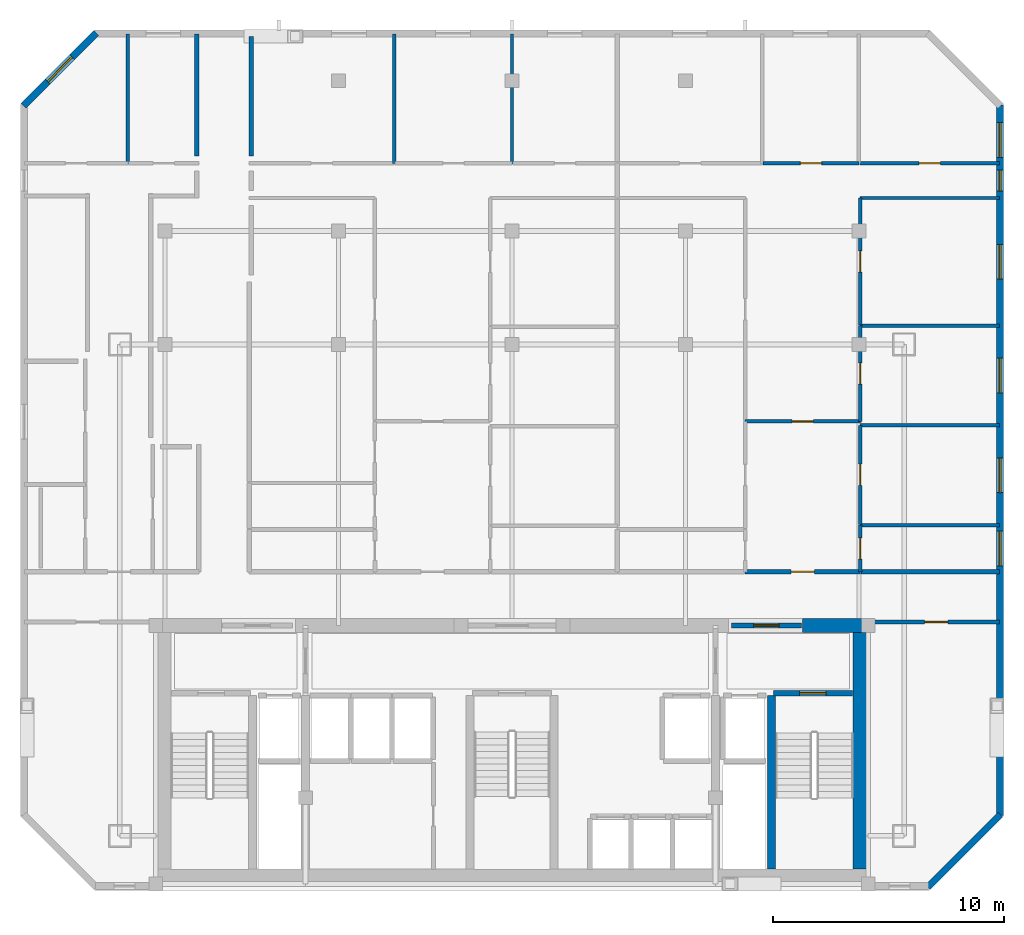
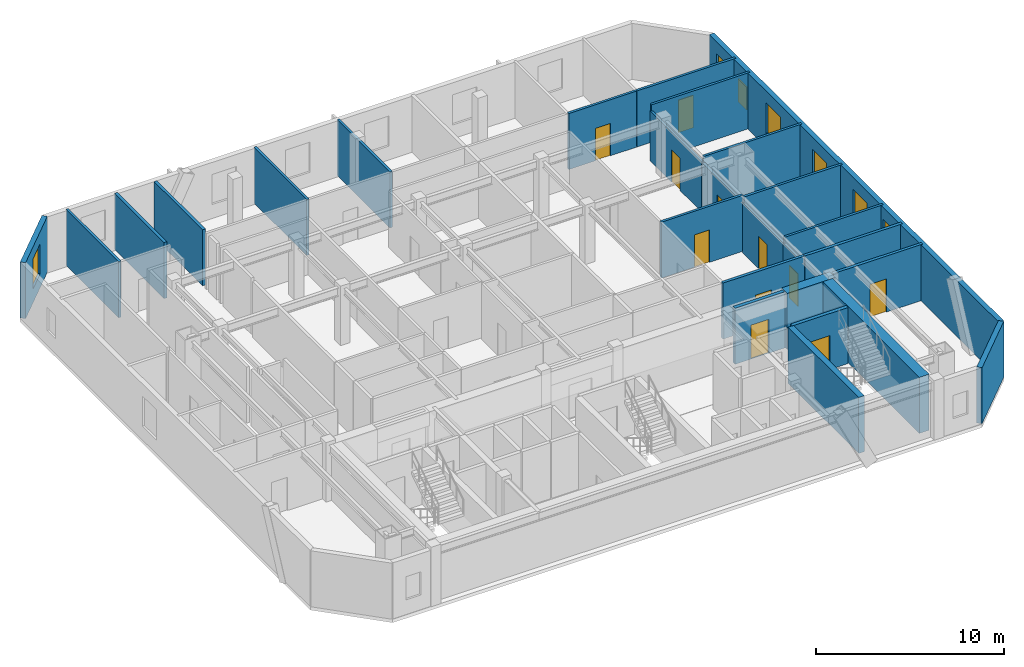
# One storey, part 5 of 7: 27 walls, 11 doors, 7 windows, 18 openings.
"""IFC4 building model written with IfcOpenShell, lengths in metres."""

from ifc_helpers import new_model, si_unit, direction, frame, frame_2d, origin, place, context, subcontext, project, spatial, rectangle, extrude, material, layer, layer_set, type_object, element, fill, save


model = new_model("IFC4")

# Units and contexts
model_context = context("Model", 3, precision=1e-05, world=origin(), true_north=direction((0.0, 1.0)))
body_context = subcontext(model_context, "Body", "Model", "MODEL_VIEW")
ifc_project = project(units=[si_unit("LENGTHUNIT", "METRE"), si_unit("AREAUNIT", "SQUARE_METRE"), si_unit("VOLUMEUNIT", "CUBIC_METRE"), si_unit("PLANEANGLEUNIT", "RADIAN"), si_unit("MASSUNIT", "GRAM", prefix="KILO")], contexts=[model_context])

# Site, building, storey
site_placement = place(None, origin())
site = spatial("IfcSite", under=ifc_project, at=site_placement, CompositionType="ELEMENT")
building_placement = place(site_placement, origin())
building = spatial("IfcBuilding", under=site, at=building_placement, Name="Ventersveld Concourse Tower", CompositionType="ELEMENT")
storey_placement = place(building_placement, frame((0.0, 0.0, 227.25)))
storey = spatial("IfcBuildingStorey", under=building, at=storey_placement, Name="L56", CompositionType="ELEMENT", Elevation=227.25)

# Walls
ifc_material_1 = material(Name="Concrete C50/60", Category="concrete")
ifc_layer_1 = layer(ifc_material_1, 0.35009765625)
ifc_layer_set_1 = layer_set([ifc_layer_1], Name="Concrete C50/60")
wall_type_1 = type_object("IfcWallType", Name="WL-CORE-350U", PredefinedType="SHEAR", material=ifc_layer_set_1)
wall_1_placement = place(storey_placement, frame((39.9599609375, 0.919921875, 0.0), z_axis=(0.0, 0.0, 1.0), x_axis=(0.0, 1.0, 0.0)))
element("IfcWall", 1, at=wall_1_placement, inside=storey, type_object=wall_type_1, Name="L56 Core Internal Shear Web W-ST2-W", PredefinedType="SHEAR", context=body_context, shape_type="SweptSolid", body=[
    extrude(rectangle(XDim=7.5, YDim=0.35009765625, at=frame_2d((3.75, 0.0))), origin(), (0.0, 0.0, 1.0), 3.6298828125),
])
ifc_layer_2 = layer(ifc_material_1, 0.60009765625)
ifc_layer_set_2 = layer_set([ifc_layer_2], Name="Concrete C50/60")
wall_type_2 = type_object("IfcWallType", Name="WL-CORE-600", PredefinedType="SHEAR", material=ifc_layer_set_2)
wall_2_placement = place(storey_placement, frame((43.800048828125, 0.919921875, 0.0), z_axis=(0.0, 0.0, 1.0), x_axis=(0.0, 1.0, 0.0)))
element("IfcWall", 2, at=wall_2_placement, inside=storey, type_object=wall_type_2, Name="L56 Rear Core East Shear Wall", PredefinedType="SHEAR", context=body_context, shape_type="SweptSolid", body=[
    extrude(rectangle(XDim=10.530029296875, YDim=0.60009765625, at=frame_2d((5.26513671875, 0.0))), origin(), (0.0, 0.0, 1.0), 3.6298828125),
])
wall_3_placement = place(storey_placement, frame((41.300048828125, 11.449951171875, 0.0), z_axis=(0.0, 0.0, 1.0), x_axis=(1.0, 0.0, 0.0)))
element("IfcWall", 3, at=wall_3_placement, inside=storey, type_object=wall_type_2, Name="L56 Rear Core North Shear Wall NE", PredefinedType="SHEAR", context=body_context, shape_type="SweptSolid", body=[
    extrude(rectangle(XDim=2.949951171875, YDim=0.60009765625, at=frame_2d((1.47509765625, 0.0))), origin(), (0.0, 0.0, 1.0), 3.6298828125),
])

# Wall, opening, door
ifc_material_2 = material(Name="Fire-rated autoclaved aerated masonry blockwork", Category="masonry")
ifc_layer_3 = layer(ifc_material_2, 0.179931640625)
ifc_layer_set_3 = layer_set([ifc_layer_3], Name="Fire-rated autoclaved aerated masonry blockwork")
wall_type_3 = type_object("IfcWallType", Name="WL-CORR-180", PredefinedType="PARTITIONING", material=ifc_layer_set_3)
wall_4_placement = place(storey_placement, frame((44.35498046875, 11.60009765625, 0.0), z_axis=(0.0, 0.0, 1.0), x_axis=(1.0, 0.0, 0.0)))
wall_4 = element("IfcWall", 4, at=wall_4_placement, inside=storey, type_object=wall_type_3, Name="L56 Interior Partition SP-L56-SE-OFF-SP-L56-COR", PredefinedType="PARTITIONING", context=body_context, shape_type="SweptSolid", body=[
    extrude(rectangle(XDim=5.472412109375, YDim=0.179931640625, at=frame_2d((2.736328125, 0.0))), origin(), (0.0, 0.0, 1.0), 3.6298828125),
])
opening_1_placement = place(wall_4_placement, frame((2.236328125, 0.0, 0.0)))
opening_1 = element("IfcOpeningElement", 5, at=opening_1_placement, cuts=wall_4, Name="Opening FD3", PredefinedType="OPENING", context=body_context, shape_type="SweptSolid", body=[
    extrude(rectangle(XDim=1.0, YDim=2.14990234375, at=frame_2d((0.5, 1.074951171875))), frame((0.0, 0.10009765625, 0.0), z_axis=(0.0, -1.0, 0.0), x_axis=(1.0, 0.0, 0.0)), (0.0, 0.0, 1.0), 0.199951171875),
])
ifc_material_3 = material(Name="Solid-core hardwood veneer timber", Category="wood")
door_type_1 = type_object("IfcDoorType", Name="DR-FLAT-100", OperationType="NOTDEFINED", PredefinedType="DOOR", material=ifc_material_3)
door_1_placement = place(opening_1_placement, origin())
door_1 = element("IfcDoor", 6, at=door_1_placement, inside=storey, type_object=door_type_1, Name="L56 Interior Door SP-L56-SE-OFF to SP-L56-COR (D-L56-2704)", OperationType="SINGLE_SWING_RIGHT", OverallHeight=2.14990234375, OverallWidth=1.0, PredefinedType="DOOR", context=body_context, shape_type="SweptSolid", body=[
    extrude(rectangle(XDim=1.0, YDim=2.14990234375, at=frame_2d((0.5, 1.074951171875))), frame((0.0, 0.02490234375, 0.0), z_axis=(0.0, -1.0, 0.0), x_axis=(1.0, 0.0, 0.0)), (0.0, 0.0, 1.0), 0.050048828125),
])
fill(opening_1, door_1)

wall_5_placement = place(storey_placement, frame((38.825439453125, 13.77001953125, 0.0), z_axis=(0.0, 0.0, 1.0), x_axis=(1.0, 0.0, 0.0)))
wall_5 = element("IfcWall", 7, at=wall_5_placement, inside=storey, type_object=wall_type_3, Name="L56 Interior Partition SP-L56-COR-SP-L56-56N2-FOY", PredefinedType="PARTITIONING", context=body_context, shape_type="SweptSolid", body=[
    extrude(rectangle(XDim=4.989990234375, YDim=0.179931640625, at=frame_2d((2.4951171875, 0.0))), origin(), (0.0, 0.0, 1.0), 3.6298828125),
])
opening_2_placement = place(wall_5_placement, frame((1.9951171875, 0.0, 0.0)))
opening_2 = element("IfcOpeningElement", 8, at=opening_2_placement, cuts=wall_5, Name="Opening FD3", PredefinedType="OPENING", context=body_context, shape_type="SweptSolid", body=[
    extrude(rectangle(XDim=1.0, YDim=2.14990234375, at=frame_2d((0.5, 1.074951171875))), frame((0.0, 0.10009765625, 0.0), z_axis=(0.0, -1.0, 0.0), x_axis=(1.0, 0.0, 0.0)), (0.0, 0.0, 1.0), 0.199951171875),
])
door_2_placement = place(opening_2_placement, origin())
door_2 = element("IfcDoor", 9, at=door_2_placement, inside=storey, type_object=door_type_1, Name="L56 Interior Door SP-L56-COR to SP-L56-56N2-FOY (FD-L56-2707)", OperationType="SINGLE_SWING_LEFT", OverallHeight=2.14990234375, OverallWidth=1.0, PredefinedType="DOOR", context=body_context, shape_type="SweptSolid", body=[
    extrude(rectangle(XDim=1.0, YDim=2.14990234375, at=frame_2d((0.5, 1.074951171875))), frame((0.0, 0.02490234375, 0.0), z_axis=(0.0, -1.0, 0.0), x_axis=(1.0, 0.0, 0.0)), (0.0, 0.0, 1.0), 0.050048828125),
])
fill(opening_2, door_2)

# Walls
wall_6_placement = place(storey_placement, frame((43.845458984375, 13.77001953125, 0.0), z_axis=(0.0, 0.0, 1.0), x_axis=(1.0, 0.0, 0.0)))
element("IfcWall", 10, at=wall_6_placement, inside=storey, type_object=wall_type_3, Name="L56 Interior Partition SP-L56-COR-SP-L56-56N2-KIT", PredefinedType="PARTITIONING", context=body_context, shape_type="SweptSolid", body=[
    extrude(rectangle(XDim=5.98193359375, YDim=0.179931640625, at=frame_2d((2.990966796875, 0.0))), origin(), (0.0, 0.0, 1.0), 3.6298828125),
])
wall_7_placement = place(storey_placement, frame((15.1201171875, 37.027587890625, 0.0), z_axis=(0.0, 0.0, 1.0), x_axis=(0.0, -1.0, 0.0)))
element("IfcWall", 11, at=wall_7_placement, inside=storey, type_object=wall_type_3, Name="L56 Room Enclosure Wall SP-L56-56NW-BR2", PredefinedType="PARTITIONING", context=body_context, shape_type="SweptSolid", body=[
    extrude(rectangle(XDim=5.272705078125, YDim=0.179931640625, at=frame_2d((2.63623046875, 0.0))), origin(), (0.0, 0.0, 1.0), 3.6298828125),
])
wall_8_placement = place(storey_placement, frame((17.47998046875, 31.7548828125, 0.0), z_axis=(0.0, 0.0, 1.0), x_axis=(0.0, 1.0, 0.0)))
element("IfcWall", 12, at=wall_8_placement, inside=storey, type_object=wall_type_3, Name="L56 Room Enclosure Wall SP-L56-56N1-BR1", PredefinedType="PARTITIONING", context=body_context, shape_type="SweptSolid", body=[
    extrude(rectangle(XDim=5.14892578125, YDim=0.179931640625, at=frame_2d((2.574462890625, 0.0))), origin(), (0.0, 0.0, 1.0), 3.6298828125),
])

# Wall, opening, door
ifc_layer_4 = layer(ifc_material_2, 0.219970703125)
ifc_layer_set_4 = layer_set([ifc_layer_4], Name="Fire-rated autoclaved aerated masonry blockwork")
wall_type_4 = type_object("IfcWallType", Name="WL-HOIST-220", PredefinedType="SOLIDWALL", material=ifc_layer_set_4)
wall_9_placement = place(storey_placement, frame((40.06005859375, 8.52001953125, 0.0), z_axis=(0.0, 0.0, 1.0), x_axis=(1.0, 0.0, 0.0)))
wall_9 = element("IfcWall", 13, at=wall_9_placement, inside=storey, type_object=wall_type_4, Name="L56 Escape Stair ST02 Fire Wall", PredefinedType="SOLIDWALL", context=body_context, shape_type="SweptSolid", body=[
    extrude(rectangle(XDim=3.39990234375, YDim=0.219970703125, at=frame_2d((1.699951171875, 0.0))), origin(), (0.0, 0.0, 1.0), 3.6298828125),
])
opening_3_placement = place(wall_9_placement, frame((1.125, 0.0, 0.0)))
opening_3 = element("IfcOpeningElement", 14, at=opening_3_placement, cuts=wall_9, Name="Opening FD1", PredefinedType="OPENING", context=body_context, shape_type="SweptSolid", body=[
    extrude(rectangle(XDim=1.14990234375, YDim=2.199951171875, at=frame_2d((0.574951171875, 1.10009765625))), frame((0.0, 0.1201171875, 0.0), z_axis=(0.0, -1.0, 0.0), x_axis=(1.0, 0.0, 0.0)), (0.0, 0.0, 1.0), 0.239990234375),
])
ifc_material_4 = material(Name="Galvanised painted steel", Category="steel")
door_type_2 = type_object("IfcDoorType", Name="DR-STAIR-115", OperationType="NOTDEFINED", PredefinedType="DOOR", material=ifc_material_4)
door_3_placement = place(opening_3_placement, origin())
door_3 = element("IfcDoor", 15, at=door_3_placement, inside=storey, type_object=door_type_2, Name="L56 Escape Stair Door ST02 (SD-L56-2695)", OperationType="SINGLE_SWING_RIGHT", OverallHeight=2.199951171875, OverallWidth=1.14990234375, PredefinedType="DOOR", context=body_context, shape_type="SweptSolid", body=[
    extrude(rectangle(XDim=1.14990234375, YDim=2.199951171875, at=frame_2d((0.574951171875, 1.10009765625))), frame((0.0, 0.02490234375, 0.0), z_axis=(0.0, -1.0, 0.0), x_axis=(1.0, 0.0, 0.0)), (0.0, 0.0, 1.0), 0.050048828125),
])
fill(opening_3, door_3)

wall_10_placement = place(storey_placement, frame((38.22998046875, 11.449951171875, 0.0), z_axis=(0.0, 0.0, 1.0), x_axis=(1.0, 0.0, 0.0)))
wall_10 = element("IfcWall", 16, at=wall_10_placement, inside=storey, type_object=wall_type_4, Name="L56 Core North Fire Portal FFLE-OUT", PredefinedType="SOLIDWALL", context=body_context, shape_type="SweptSolid", body=[
    extrude(rectangle(XDim=3.0400390625, YDim=0.219970703125, at=frame_2d((1.52001953125, 0.0))), origin(), (0.0, 0.0, 1.0), 3.6298828125),
])
opening_4_placement = place(wall_10_placement, frame((0.969970703125, 0.0, 0.0)))
opening_4 = element("IfcOpeningElement", 17, at=opening_4_placement, cuts=wall_10, Name="Opening FD2", PredefinedType="OPENING", context=body_context, shape_type="SweptSolid", body=[
    extrude(rectangle(XDim=1.10009765625, YDim=2.199951171875, at=frame_2d((0.550048828125, 1.10009765625))), frame((0.0, 0.1201171875, 0.0), z_axis=(0.0, -1.0, 0.0), x_axis=(1.0, 0.0, 0.0)), (0.0, 0.0, 1.0), 0.239990234375),
])
door_type_3 = type_object("IfcDoorType", Name="DR-FFL-110", OperationType="NOTDEFINED", PredefinedType="DOOR", material=ifc_material_4)
door_4_placement = place(opening_4_placement, origin())
door_4 = element("IfcDoor", 18, at=door_4_placement, inside=storey, type_object=door_type_3, Name="L56 Core Lobby Fire Door FFLE-OUT (FD-L56-2701)", OperationType="SINGLE_SWING_LEFT", OverallHeight=2.199951171875, OverallWidth=1.10009765625, PredefinedType="DOOR", context=body_context, shape_type="SweptSolid", body=[
    extrude(rectangle(XDim=1.10009765625, YDim=2.199951171875, at=frame_2d((0.550048828125, 1.10009765625))), frame((0.0, 0.02490234375, 0.0), z_axis=(0.0, -1.0, 0.0), x_axis=(1.0, 0.0, 0.0)), (0.0, 0.0, 1.0), 0.050048828125),
])
fill(opening_4, door_4)

# Walls
ifc_material_5 = material(Name="Autoclaved aerated masonry blockwork", Category="masonry")
ifc_layer_5 = layer(ifc_material_5, 0.14990234375)
ifc_layer_set_5 = layer_set([ifc_layer_5], Name="Autoclaved aerated masonry blockwork")
wall_type_5 = type_object("IfcWallType", Name="WL-INT-150", PredefinedType="PARTITIONING", material=ifc_layer_set_5)
for number, where, z_axis, x_axis, name in (
    (19, (12.135986328125, 31.425048828125, 0.0), (0.0, 0.0, 1.0), (0.0, 1.0, 0.0), "L56 Interior Partition SP-L56-56NW-BR1-SP-L56-56NW-BR2"),
    (20, (23.654052734375, 31.425048828125, 0.0), (0.0, 0.0, 1.0), (0.0, 1.0, 0.0), "L56 Interior Partition SP-L56-56N1-BR1-SP-L56-56N1-BR2"),
    (21, (28.75, 31.425048828125, 0.0), (0.0, 0.0, 1.0), (0.0, 1.0, 0.0), "L56 Interior Partition SP-L56-56N1-BR2-SP-L56-56N1-BR3"),
):
    element("IfcWall", number, at=place(storey_placement, frame(where, z_axis=z_axis, x_axis=x_axis)), inside=storey, type_object=wall_type_5, Name=name, PredefinedType="PARTITIONING", context=body_context, shape_type="SweptSolid", body=[
        extrude(rectangle(XDim=5.6025390625, YDim=0.14990234375, at=frame_2d((2.80126953125, 0.0))), origin(), (0.0, 0.0, 1.0), 3.6298828125),
    ])

# Wall, opening, door
wall_11_placement = place(storey_placement, frame((38.825439453125, 20.26904296875, 0.0), z_axis=(0.0, 0.0, 1.0), x_axis=(1.0, 0.0, 0.0)))
wall_11 = element("IfcWall", 22, at=wall_11_placement, inside=storey, type_object=wall_type_5, Name="L56 Interior Partition SP-L56-56N2-FOY-SP-L56-56N2-LIV", PredefinedType="PARTITIONING", context=body_context, shape_type="SweptSolid", body=[
    extrude(rectangle(XDim=4.989990234375, YDim=0.14990234375, at=frame_2d((2.4951171875, 0.0))), origin(), (0.0, 0.0, 1.0), 3.6298828125),
])
opening_5_placement = place(wall_11_placement, frame((2.034912109375, 0.0, 0.0)))
opening_5 = element("IfcOpeningElement", 23, at=opening_5_placement, cuts=wall_11, Name="Opening ID1", PredefinedType="OPENING", context=body_context, shape_type="SweptSolid", body=[
    extrude(rectangle(XDim=0.919921875, YDim=2.10009765625, at=frame_2d((0.4599609375, 1.050048828125))), frame((0.0, 0.0849609375, 0.0), z_axis=(0.0, -1.0, 0.0), x_axis=(1.0, 0.0, 0.0)), (0.0, 0.0, 1.0), 0.169921875),
])
door_type_4 = type_object("IfcDoorType", Name="DR-ROOM-092", OperationType="NOTDEFINED", PredefinedType="DOOR", material=ifc_material_3)
door_5_placement = place(opening_5_placement, origin())
door_5 = element("IfcDoor", 24, at=door_5_placement, inside=storey, type_object=door_type_4, Name="L56 Interior Door SP-L56-56N2-FOY to SP-L56-56N2-LIV (D-L56-2725)", OperationType="SINGLE_SWING_LEFT", OverallHeight=2.10009765625, OverallWidth=0.919921875, PredefinedType="DOOR", context=body_context, shape_type="SweptSolid", body=[
    extrude(rectangle(XDim=0.919921875, YDim=2.10009765625, at=frame_2d((0.4599609375, 1.050048828125))), frame((0.0, 0.02490234375, 0.0), z_axis=(0.0, -1.0, 0.0), x_axis=(1.0, 0.0, 0.0)), (0.0, 0.0, 1.0), 0.050048828125),
])
fill(opening_5, door_5)

wall_12_placement = place(storey_placement, frame((43.810302734375, 13.764892578125, 0.0), z_axis=(0.0, 0.0, 1.0), x_axis=(0.0, 1.0, 0.0)))
wall_12 = element("IfcWall", 25, at=wall_12_placement, inside=storey, type_object=wall_type_5, Name="L56 Interior Partition SP-L56-56N2-FOY-SP-L56-56N2-KIT", PredefinedType="PARTITIONING", context=body_context, shape_type="SweptSolid", body=[
    extrude(rectangle(XDim=2.029296875, YDim=0.14990234375, at=frame_2d((1.0146484375, 0.0))), origin(), (0.0, 0.0, 1.0), 3.2236328125),
])
opening_6_placement = place(wall_12_placement, frame((0.5546875, 0.0, 0.0)))
opening_6 = element("IfcOpeningElement", 26, at=opening_6_placement, cuts=wall_12, Name="Opening ID1", PredefinedType="OPENING", context=body_context, shape_type="SweptSolid", body=[
    extrude(rectangle(XDim=0.919921875, YDim=2.10009765625, at=frame_2d((0.4599609375, 1.050048828125))), frame((0.0, 0.0849609375, 0.0), z_axis=(0.0, -1.0, 0.0), x_axis=(1.0, 0.0, 0.0)), (0.0, 0.0, 1.0), 0.169921875),
])
door_6_placement = place(opening_6_placement, origin())
door_6 = element("IfcDoor", 27, at=door_6_placement, inside=storey, type_object=door_type_4, Name="L56 Interior Door SP-L56-56N2-FOY to SP-L56-56N2-KIT (D-L56-2728)", OperationType="SINGLE_SWING_RIGHT", OverallHeight=2.10009765625, OverallWidth=0.919921875, PredefinedType="DOOR", context=body_context, shape_type="SweptSolid", body=[
    extrude(rectangle(XDim=0.919921875, YDim=2.10009765625, at=frame_2d((0.4599609375, 1.050048828125))), frame((0.0, 0.02490234375, 0.0), z_axis=(0.0, -1.0, 0.0), x_axis=(1.0, 0.0, 0.0)), (0.0, 0.0, 1.0), 0.050048828125),
])
fill(opening_6, door_6)

wall_13_placement = place(storey_placement, frame((43.810302734375, 15.82421875, 0.0), z_axis=(0.0, 0.0, 1.0), x_axis=(0.0, 1.0, 0.0)))
wall_13 = element("IfcWall", 28, at=wall_13_placement, inside=storey, type_object=wall_type_5, Name="L56 Interior Partition SP-L56-56N2-FOY-SP-L56-56N2-DENR", PredefinedType="PARTITIONING", context=body_context, shape_type="SweptSolid", body=[
    extrude(rectangle(XDim=4.279052734375, YDim=0.14990234375, at=frame_2d((2.1396484375, 0.0))), origin(), (0.0, 0.0, 1.0), 3.2236328125),
])
opening_7_placement = place(wall_13_placement, frame((1.679443359375, 0.0, 0.0)))
opening_7 = element("IfcOpeningElement", 29, at=opening_7_placement, cuts=wall_13, Name="Opening ID1", PredefinedType="OPENING", context=body_context, shape_type="SweptSolid", body=[
    extrude(rectangle(XDim=0.919921875, YDim=2.10009765625, at=frame_2d((0.4599609375, 1.050048828125))), frame((0.0, 0.0849609375, 0.0), z_axis=(0.0, -1.0, 0.0), x_axis=(1.0, 0.0, 0.0)), (0.0, 0.0, 1.0), 0.169921875),
])
door_7_placement = place(opening_7_placement, origin())
door_7 = element("IfcDoor", 30, at=door_7_placement, inside=storey, type_object=door_type_4, Name="L56 Interior Door SP-L56-56N2-FOY to SP-L56-56N2-DENR (D-L56-2729)", OperationType="SINGLE_SWING_LEFT", OverallHeight=2.10009765625, OverallWidth=0.919921875, PredefinedType="DOOR", context=body_context, shape_type="SweptSolid", body=[
    extrude(rectangle(XDim=0.919921875, YDim=2.10009765625, at=frame_2d((0.4599609375, 1.050048828125))), frame((0.0, 0.02490234375, 0.0), z_axis=(0.0, -1.0, 0.0), x_axis=(1.0, 0.0, 0.0)), (0.0, 0.0, 1.0), 0.050048828125),
])
fill(opening_7, door_7)

wall_14_placement = place(storey_placement, frame((43.810302734375, 20.26416015625, 0.0), z_axis=(0.0, 0.0, 1.0), x_axis=(0.0, 1.0, 0.0)))
wall_14 = element("IfcWall", 31, at=wall_14_placement, inside=storey, type_object=wall_type_5, Name="L56 Interior Partition SP-L56-56N2-LIV-SP-L56-56N2-DENS", PredefinedType="PARTITIONING", context=body_context, shape_type="SweptSolid", body=[
    extrude(rectangle(XDim=4.14794921875, YDim=0.14990234375, at=frame_2d((2.073974609375, 0.0))), origin(), (0.0, 0.0, 1.0), 3.2236328125),
])
opening_8_placement = place(wall_14_placement, frame((1.614013671875, 0.0, 0.0)))
opening_8 = element("IfcOpeningElement", 32, at=opening_8_placement, cuts=wall_14, Name="Opening ID1", PredefinedType="OPENING", context=body_context, shape_type="SweptSolid", body=[
    extrude(rectangle(XDim=0.919921875, YDim=2.10009765625, at=frame_2d((0.4599609375, 1.050048828125))), frame((0.0, 0.0849609375, 0.0), z_axis=(0.0, -1.0, 0.0), x_axis=(1.0, 0.0, 0.0)), (0.0, 0.0, 1.0), 0.169921875),
])
door_8_placement = place(opening_8_placement, origin())
door_8 = element("IfcDoor", 33, at=door_8_placement, inside=storey, type_object=door_type_4, Name="L56 Interior Door SP-L56-56N2-LIV to SP-L56-56N2-DENS (D-L56-2731)", OperationType="SINGLE_SWING_LEFT", OverallHeight=2.10009765625, OverallWidth=0.919921875, PredefinedType="DOOR", context=body_context, shape_type="SweptSolid", body=[
    extrude(rectangle(XDim=0.919921875, YDim=2.10009765625, at=frame_2d((0.4599609375, 1.050048828125))), frame((0.0, 0.02490234375, 0.0), z_axis=(0.0, -1.0, 0.0), x_axis=(1.0, 0.0, 0.0)), (0.0, 0.0, 1.0), 0.050048828125),
])
fill(opening_8, door_8)

wall_15_placement = place(storey_placement, frame((43.810302734375, 24.442138671875, 0.0), z_axis=(0.0, 0.0, 1.0), x_axis=(0.0, 1.0, 0.0)))
wall_15 = element("IfcWall", 34, at=wall_15_placement, inside=storey, type_object=wall_type_5, Name="L56 Interior Partition SP-L56-56N2-LIV-SP-L56-56N2-DENS2", PredefinedType="PARTITIONING", context=body_context, shape_type="SweptSolid", body=[
    extrude(rectangle(XDim=5.492919921875, YDim=0.14990234375, at=frame_2d((2.74658203125, 0.0))), origin(), (0.0, 0.0, 1.0), 3.2236328125),
])
opening_9_placement = place(wall_15_placement, frame((2.286376953125, 0.0, 0.0)))
opening_9 = element("IfcOpeningElement", 35, at=opening_9_placement, cuts=wall_15, Name="Opening ID1", PredefinedType="OPENING", context=body_context, shape_type="SweptSolid", body=[
    extrude(rectangle(XDim=0.919921875, YDim=2.10009765625, at=frame_2d((0.4599609375, 1.050048828125))), frame((0.0, 0.0849609375, 0.0), z_axis=(0.0, -1.0, 0.0), x_axis=(1.0, 0.0, 0.0)), (0.0, 0.0, 1.0), 0.169921875),
])
door_9_placement = place(opening_9_placement, origin())
door_9 = element("IfcDoor", 36, at=door_9_placement, inside=storey, type_object=door_type_4, Name="L56 Interior Door SP-L56-56N2-LIV to SP-L56-56N2-DENS2 (D-L56-2732)", OperationType="SINGLE_SWING_RIGHT", OverallHeight=2.10009765625, OverallWidth=0.919921875, PredefinedType="DOOR", context=body_context, shape_type="SweptSolid", body=[
    extrude(rectangle(XDim=0.919921875, YDim=2.10009765625, at=frame_2d((0.4599609375, 1.050048828125))), frame((0.0, 0.02490234375, 0.0), z_axis=(0.0, -1.0, 0.0), x_axis=(1.0, 0.0, 0.0)), (0.0, 0.0, 1.0), 0.050048828125),
])
fill(opening_9, door_9)

# Wall
wall_16_placement = place(storey_placement, frame((43.805419921875, 29.929931640625, 0.0), z_axis=(0.0, 0.0, 1.0), x_axis=(1.0, 0.0, 0.0)))
element("IfcWall", 37, at=wall_16_placement, inside=storey, type_object=wall_type_5, Name="L56 Interior Partition SP-L56-56N2-LIV-SP-L56-56N2-DENS2", PredefinedType="PARTITIONING", context=body_context, shape_type="SweptSolid", body=[
    extrude(rectangle(XDim=6.02197265625, YDim=0.14990234375, at=frame_2d((3.010986328125, 0.0))), origin(), (0.0, 0.0, 1.0), 3.6298828125),
])

# Wall, opening, door
wall_17_placement = place(storey_placement, frame((39.59912109375, 31.429931640625, 0.0), z_axis=(0.0, 0.0, 1.0), x_axis=(1.0, 0.0, 0.0)))
wall_17 = element("IfcWall", 38, at=wall_17_placement, inside=storey, type_object=wall_type_5, Name="L56 Interior Partition SP-L56-56N2-LIV-SP-L56-56N2-BR2", PredefinedType="PARTITIONING", context=body_context, shape_type="SweptSolid", body=[
    extrude(rectangle(XDim=4.15576171875, YDim=0.14990234375, at=frame_2d((2.077880859375, 0.0))), origin(), (0.0, 0.0, 1.0), 3.6298828125),
])
opening_10_placement = place(wall_17_placement, frame((1.617919921875, 0.0, 0.0)))
opening_10 = element("IfcOpeningElement", 39, at=opening_10_placement, cuts=wall_17, Name="Opening ID1", PredefinedType="OPENING", context=body_context, shape_type="SweptSolid", body=[
    extrude(rectangle(XDim=0.919921875, YDim=2.10009765625, at=frame_2d((0.4599609375, 1.050048828125))), frame((0.0, 0.0849609375, 0.0), z_axis=(0.0, -1.0, 0.0), x_axis=(1.0, 0.0, 0.0)), (0.0, 0.0, 1.0), 0.169921875),
])
door_10_placement = place(opening_10_placement, origin())
door_10 = element("IfcDoor", 40, at=door_10_placement, inside=storey, type_object=door_type_4, Name="L56 Interior Door SP-L56-56N2-LIV to SP-L56-56N2-BR2 (D-L56-2734)", OperationType="SINGLE_SWING_RIGHT", OverallHeight=2.10009765625, OverallWidth=0.919921875, PredefinedType="DOOR", context=body_context, shape_type="SweptSolid", body=[
    extrude(rectangle(XDim=0.919921875, YDim=2.10009765625, at=frame_2d((0.4599609375, 1.050048828125))), frame((0.0, 0.02490234375, 0.0), z_axis=(0.0, -1.0, 0.0), x_axis=(1.0, 0.0, 0.0)), (0.0, 0.0, 1.0), 0.050048828125),
])
fill(opening_10, door_10)

wall_18_placement = place(storey_placement, frame((43.784912109375, 31.429931640625, 0.0), z_axis=(0.0, 0.0, 1.0), x_axis=(1.0, 0.0, 0.0)))
wall_18 = element("IfcWall", 41, at=wall_18_placement, inside=storey, type_object=wall_type_5, Name="L56 Interior Partition SP-L56-56N2-LIV-SP-L56-56N2-BR3", PredefinedType="PARTITIONING", context=body_context, shape_type="SweptSolid", body=[
    extrude(rectangle(XDim=6.04248046875, YDim=0.14990234375, at=frame_2d((3.021240234375, 0.0))), origin(), (0.0, 0.0, 1.0), 3.6298828125),
])
opening_11_placement = place(wall_18_placement, frame((2.561279296875, 0.0, 0.0)))
opening_11 = element("IfcOpeningElement", 42, at=opening_11_placement, cuts=wall_18, Name="Opening ID1", PredefinedType="OPENING", context=body_context, shape_type="SweptSolid", body=[
    extrude(rectangle(XDim=0.919921875, YDim=2.10009765625, at=frame_2d((0.4599609375, 1.050048828125))), frame((0.0, 0.0849609375, 0.0), z_axis=(0.0, -1.0, 0.0), x_axis=(1.0, 0.0, 0.0)), (0.0, 0.0, 1.0), 0.169921875),
])
door_11_placement = place(opening_11_placement, origin())
door_11 = element("IfcDoor", 43, at=door_11_placement, inside=storey, type_object=door_type_4, Name="L56 Interior Door SP-L56-56N2-LIV to SP-L56-56N2-BR3 (D-L56-2735)", OperationType="SINGLE_SWING_LEFT", OverallHeight=2.10009765625, OverallWidth=0.919921875, PredefinedType="DOOR", context=body_context, shape_type="SweptSolid", body=[
    extrude(rectangle(XDim=0.919921875, YDim=2.10009765625, at=frame_2d((0.4599609375, 1.050048828125))), frame((0.0, 0.02490234375, 0.0), z_axis=(0.0, -1.0, 0.0), x_axis=(1.0, 0.0, 0.0)), (0.0, 0.0, 1.0), 0.050048828125),
])
fill(opening_11, door_11)

# Walls
for number, where, z_axis, x_axis, name in (
    (44, (43.805419921875, 15.789306640625, 0.0), (0.0, 0.0, 1.0), (1.0, 0.0, 0.0), "L56 Interior Partition SP-L56-56N2-KIT-SP-L56-56N2-DENR"),
    (45, (43.805419921875, 20.09814453125, 0.0), (0.0, 0.0, 1.0), (1.0, 0.0, 0.0), "L56 Interior Partition SP-L56-56N2-DENR-SP-L56-56N2-DENS"),
    (46, (43.805419921875, 24.4072265625, 0.0), (0.0, 0.0, 1.0), (1.0, 0.0, 0.0), "L56 Interior Partition SP-L56-56N2-DENS-SP-L56-56N2-DENS2"),
):
    element("IfcWall", number, at=place(storey_placement, frame(where, z_axis=z_axis, x_axis=x_axis)), inside=storey, type_object=wall_type_5, Name=name, PredefinedType="PARTITIONING", context=body_context, shape_type="SweptSolid", body=[
        extrude(rectangle(XDim=6.02197265625, YDim=0.14990234375, at=frame_2d((3.010986328125, 0.0))), origin(), (0.0, 0.0, 1.0), 3.6298828125),
    ])
ifc_material_6 = material(Name="Precast concrete C45/55", Category="concrete")
ifc_layer_6 = layer(ifc_material_6, 0.300048828125)
ifc_layer_set_6 = layer_set([ifc_layer_6], Name="Precast concrete C45/55")
wall_type_6 = type_object("IfcWallType", Name="WL-PREC-300", PredefinedType="SOLIDWALL", material=ifc_layer_set_6)
wall_19_placement = place(storey_placement, frame((46.72216796875, 0.134521484375, 0.0), z_axis=(0.0, 0.0, 1.0), x_axis=(0.707106781187, 0.707106781187, 0.0)))
element("IfcWall", 47, at=wall_19_placement, inside=storey, type_object=wall_type_6, Name="L56 Highveld Precast Facade Wall E02", PredefinedType="SOLIDWALL", context=body_context, shape_type="SweptSolid", body=[
    extrude(rectangle(XDim=4.4453125, YDim=0.300048828125, at=frame_2d((2.22265625, 0.0))), origin(), (0.0, 0.0, 1.0), 3.6298828125),
])

# Wall, openings, windows
wall_20_placement = place(storey_placement, frame((49.85009765625, 3.239990234375, 0.0), z_axis=(0.0, 0.0, 1.0), x_axis=(0.0, 1.0, 0.0)))
wall_20 = element("IfcWall", 48, at=wall_20_placement, inside=storey, type_object=wall_type_6, Name="L56 Highveld Precast Facade Wall E03", PredefinedType="SOLIDWALL", context=body_context, shape_type="SweptSolid", body=[
    extrude(rectangle(XDim=30.719970703125, YDim=0.300048828125, at=frame_2d((15.35986328125, 0.0))), origin(), (0.0, 0.0, 1.0), 3.6298828125),
])
opening_12_placement = place(wall_20_placement, frame((26.989990234375, 0.0, 0.949951171875)))
opening_12 = element("IfcOpeningElement", 49, at=opening_12_placement, cuts=wall_20, Name="Opening W4", PredefinedType="OPENING", context=body_context, shape_type="SweptSolid", body=[
    extrude(rectangle(XDim=0.89990234375, YDim=1.5, at=frame_2d((0.449951171875, 0.75))), frame((0.0, 0.16015625, 0.0), z_axis=(0.0, -1.0, 0.0), x_axis=(1.0, 0.0, 0.0)), (0.0, 0.0, 1.0), 0.320068359375),
])
opening_13_placement = place(wall_20_placement, frame((10.78955078125, 0.0, 0.89990234375)))
opening_13 = element("IfcOpeningElement", 50, at=opening_13_placement, cuts=wall_20, Name="Opening W1", PredefinedType="OPENING", context=body_context, shape_type="SweptSolid", body=[
    extrude(rectangle(XDim=1.5, YDim=1.949951171875, at=frame_2d((0.75, 0.97509765625))), frame((0.0, 0.16015625, 0.0), z_axis=(0.0, -1.0, 0.0), x_axis=(1.0, 0.0, 0.0)), (0.0, 0.0, 1.0), 0.320068359375),
])
opening_14_placement = place(wall_20_placement, frame((13.95361328125, 0.0, 0.89990234375)))
opening_14 = element("IfcOpeningElement", 51, at=opening_14_placement, cuts=wall_20, Name="Opening W1", PredefinedType="OPENING", context=body_context, shape_type="SweptSolid", body=[
    extrude(rectangle(XDim=1.5, YDim=1.949951171875, at=frame_2d((0.75, 0.97509765625))), frame((0.0, 0.16015625, 0.0), z_axis=(0.0, -1.0, 0.0), x_axis=(1.0, 0.0, 0.0)), (0.0, 0.0, 1.0), 0.320068359375),
])
opening_15_placement = place(wall_20_placement, frame((18.2626953125, 0.0, 0.89990234375)))
opening_15 = element("IfcOpeningElement", 52, at=opening_15_placement, cuts=wall_20, Name="Opening W1", PredefinedType="OPENING", context=body_context, shape_type="SweptSolid", body=[
    extrude(rectangle(XDim=1.5, YDim=1.949951171875, at=frame_2d((0.75, 0.97509765625))), frame((0.0, 0.16015625, 0.0), z_axis=(0.0, -1.0, 0.0), x_axis=(1.0, 0.0, 0.0)), (0.0, 0.0, 1.0), 0.320068359375),
])
opening_16_placement = place(wall_20_placement, frame((23.1787109375, 0.0, 0.89990234375)))
opening_16 = element("IfcOpeningElement", 53, at=opening_16_placement, cuts=wall_20, Name="Opening W1", PredefinedType="OPENING", context=body_context, shape_type="SweptSolid", body=[
    extrude(rectangle(XDim=1.5, YDim=1.949951171875, at=frame_2d((0.75, 0.97509765625))), frame((0.0, 0.16015625, 0.0), z_axis=(0.0, -1.0, 0.0), x_axis=(1.0, 0.0, 0.0)), (0.0, 0.0, 1.0), 0.320068359375),
])
opening_17_placement = place(wall_20_placement, frame((28.449951171875, 0.0, 0.89990234375)))
opening_17 = element("IfcOpeningElement", 54, at=opening_17_placement, cuts=wall_20, Name="Opening W1", PredefinedType="OPENING", context=body_context, shape_type="SweptSolid", body=[
    extrude(rectangle(XDim=1.5, YDim=1.949951171875, at=frame_2d((0.75, 0.97509765625))), frame((0.0, 0.16015625, 0.0), z_axis=(0.0, -1.0, 0.0), x_axis=(1.0, 0.0, 0.0)), (0.0, 0.0, 1.0), 0.320068359375),
])
ifc_material_7 = material(Name="Tempered acoustic Low-E IGU", Category="glass")
window_type_1 = type_object("IfcWindowType", Name="WIN-090x150", PartitioningType="SINGLE_PANEL", PredefinedType="WINDOW", material=ifc_material_7)
window_1_placement = place(opening_12_placement, origin())
window_1 = element("IfcWindow", 55, at=window_1_placement, inside=storey, type_object=window_type_1, Name="L56 Punched Low-E Window W-0805", OverallHeight=1.5, OverallWidth=0.89990234375, PartitioningType="SINGLE_PANEL", PredefinedType="WINDOW", context=body_context, shape_type="SweptSolid", body=[
    extrude(rectangle(XDim=0.89990234375, YDim=1.5, at=frame_2d((0.449951171875, 0.75))), frame((0.0, 0.030029296875, 0.0), z_axis=(0.0, -1.0, 0.0), x_axis=(1.0, 0.0, 0.0)), (0.0, 0.0, 1.0), 0.06005859375),
])
fill(opening_12, window_1)
window_type_2 = type_object("IfcWindowType", Name="WIN-150x210", PartitioningType="SINGLE_PANEL", PredefinedType="WINDOW", material=ifc_material_7)
window_2_placement = place(opening_13_placement, origin())
window_2 = element("IfcWindow", 56, at=window_2_placement, inside=storey, type_object=window_type_2, Name="L56 Punched Low-E Window W-0806", OverallHeight=1.949951171875, OverallWidth=1.5, PartitioningType="SINGLE_PANEL", PredefinedType="WINDOW", context=body_context, shape_type="SweptSolid", body=[
    extrude(rectangle(XDim=1.5, YDim=1.949951171875, at=frame_2d((0.75, 0.97509765625))), frame((0.0, 0.030029296875, 0.0), z_axis=(0.0, -1.0, 0.0), x_axis=(1.0, 0.0, 0.0)), (0.0, 0.0, 1.0), 0.06005859375),
])
fill(opening_13, window_2)
window_3_placement = place(opening_14_placement, origin())
window_3 = element("IfcWindow", 57, at=window_3_placement, inside=storey, type_object=window_type_2, Name="L56 Punched Low-E Window W-0807", OverallHeight=1.949951171875, OverallWidth=1.5, PartitioningType="SINGLE_PANEL", PredefinedType="WINDOW", context=body_context, shape_type="SweptSolid", body=[
    extrude(rectangle(XDim=1.5, YDim=1.949951171875, at=frame_2d((0.75, 0.97509765625))), frame((0.0, 0.030029296875, 0.0), z_axis=(0.0, -1.0, 0.0), x_axis=(1.0, 0.0, 0.0)), (0.0, 0.0, 1.0), 0.06005859375),
])
fill(opening_14, window_3)
window_4_placement = place(opening_15_placement, origin())
window_4 = element("IfcWindow", 58, at=window_4_placement, inside=storey, type_object=window_type_2, Name="L56 Punched Low-E Window W-0808", OverallHeight=1.949951171875, OverallWidth=1.5, PartitioningType="SINGLE_PANEL", PredefinedType="WINDOW", context=body_context, shape_type="SweptSolid", body=[
    extrude(rectangle(XDim=1.5, YDim=1.949951171875, at=frame_2d((0.75, 0.97509765625))), frame((0.0, 0.030029296875, 0.0), z_axis=(0.0, -1.0, 0.0), x_axis=(1.0, 0.0, 0.0)), (0.0, 0.0, 1.0), 0.06005859375),
])
fill(opening_15, window_4)
window_5_placement = place(opening_16_placement, origin())
window_5 = element("IfcWindow", 59, at=window_5_placement, inside=storey, type_object=window_type_2, Name="L56 Punched Low-E Window W-0809", OverallHeight=1.949951171875, OverallWidth=1.5, PartitioningType="SINGLE_PANEL", PredefinedType="WINDOW", context=body_context, shape_type="SweptSolid", body=[
    extrude(rectangle(XDim=1.5, YDim=1.949951171875, at=frame_2d((0.75, 0.97509765625))), frame((0.0, 0.030029296875, 0.0), z_axis=(0.0, -1.0, 0.0), x_axis=(1.0, 0.0, 0.0)), (0.0, 0.0, 1.0), 0.06005859375),
])
fill(opening_16, window_5)
window_6_placement = place(opening_17_placement, origin())
window_6 = element("IfcWindow", 60, at=window_6_placement, inside=storey, type_object=window_type_2, Name="L56 Punched Low-E Window W-0812", OverallHeight=1.949951171875, OverallWidth=1.5, PartitioningType="SINGLE_PANEL", PredefinedType="WINDOW", context=body_context, shape_type="SweptSolid", body=[
    extrude(rectangle(XDim=1.5, YDim=1.949951171875, at=frame_2d((0.75, 0.97509765625))), frame((0.0, 0.030029296875, 0.0), z_axis=(0.0, -1.0, 0.0), x_axis=(1.0, 0.0, 0.0)), (0.0, 0.0, 1.0), 0.06005859375),
])
fill(opening_17, window_6)

# Wall, opening, window
wall_21_placement = place(storey_placement, frame((10.77783203125, 37.065673828125, 0.0), z_axis=(0.0, 0.0, 1.0), x_axis=(-0.707079321262, -0.707134240044, 0.0)))
wall_21 = element("IfcWall", 61, at=wall_21_placement, inside=storey, type_object=wall_type_6, Name="L56 Highveld Precast Facade Wall E06", PredefinedType="SOLIDWALL", context=body_context, shape_type="SweptSolid", body=[
    extrude(rectangle(XDim=4.445556640625, YDim=0.300048828125, at=frame_2d((2.22265625, 0.0))), origin(), (0.0, 0.0, 1.0), 3.6298828125),
])
opening_18_placement = place(wall_21_placement, frame((1.47265625, 0.0, 0.89990234375)))
opening_18 = element("IfcOpeningElement", 62, at=opening_18_placement, cuts=wall_21, Name="Opening W1", PredefinedType="OPENING", context=body_context, shape_type="SweptSolid", body=[
    extrude(rectangle(XDim=1.5, YDim=1.949951171875, at=frame_2d((0.75, 0.97509765625))), frame((0.0, 0.16015625, 0.0), z_axis=(0.0, -1.0, 0.0), x_axis=(1.0, 0.0, 0.0)), (0.0, 0.0, 1.0), 0.320068359375),
])
window_7_placement = place(opening_18_placement, origin())
window_7 = element("IfcWindow", 63, at=window_7_placement, inside=storey, type_object=window_type_2, Name="L56 Punched Low-E Window W-0800", OverallHeight=1.949951171875, OverallWidth=1.5, PartitioningType="SINGLE_PANEL", PredefinedType="WINDOW", context=body_context, shape_type="SweptSolid", body=[
    extrude(rectangle(XDim=1.5, YDim=1.949951171875, at=frame_2d((0.75, 0.97509765625))), frame((0.0, 0.030029296875, 0.0), z_axis=(0.0, -1.0, 0.0), x_axis=(1.0, 0.0, 0.0)), (0.0, 0.0, 1.0), 0.06005859375),
])
fill(opening_18, window_7)

save(model, "model.ifc")
